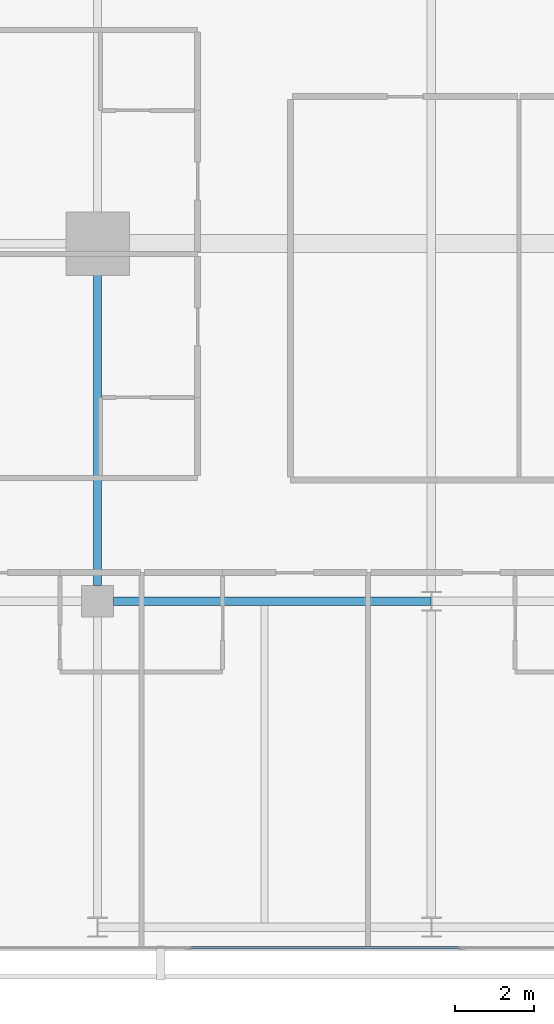
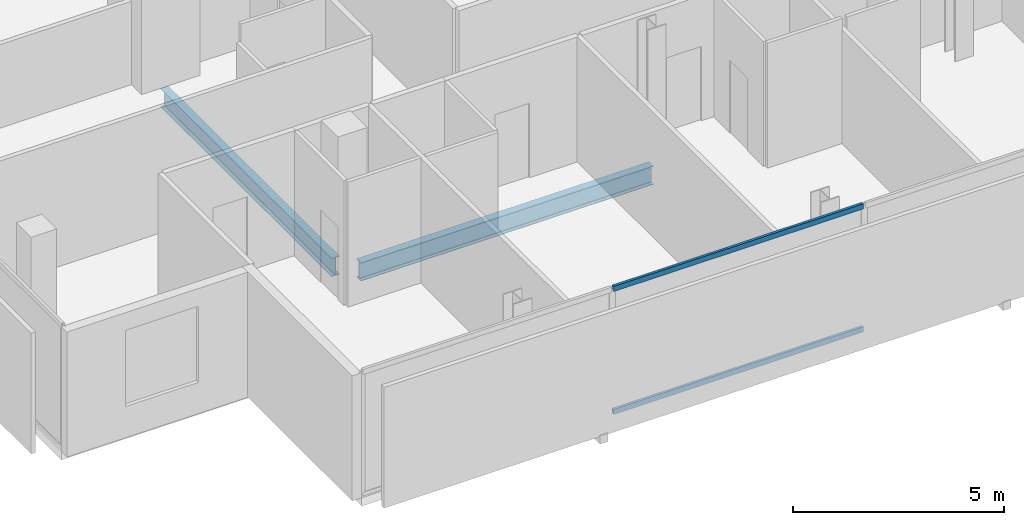
# One storey, part 5 of 25: 2 beams, 2 members, 1 element without a shape of its own.
"""IFC4 building model written with IfcOpenShell, lengths in metres."""

from ifc_helpers import new_model, si_unit, direction, frame, origin, origin_2d, place, context, subcontext, project, spatial, hollow_rectangle, i_section, extrude, material, layer, layer_set, material_profile, profile_set, type_object, element, aggregate, save


model = new_model("IFC4")

# Units and contexts
model_context = context("Model", 3, precision=1e-05, world=origin(), true_north=direction((0.0, 1.0)))
body_context = subcontext(model_context, "Body", "Model", "MODEL_VIEW")
ifc_project = project(units=[si_unit("LENGTHUNIT", "METRE"), si_unit("AREAUNIT", "SQUARE_METRE"), si_unit("VOLUMEUNIT", "CUBIC_METRE"), si_unit("PLANEANGLEUNIT", "RADIAN"), si_unit("MASSUNIT", "GRAM", prefix="KILO")], contexts=[model_context])

# Site, building, storey
site_placement = place(None, origin())
site = spatial("IfcSite", under=ifc_project, at=site_placement, CompositionType="ELEMENT")
building_placement = place(site_placement, origin())
building = spatial("IfcBuilding", under=site, at=building_placement, Name="Maruvema Waterfront Hotel and Observation Tower", CompositionType="ELEMENT")
storey_placement = place(building_placement, frame((0.0, 0.0, 239.39990234375)))
storey = spatial("IfcBuildingStorey", under=building, at=storey_placement, Name="L58", CompositionType="ELEMENT", Elevation=239.39990234375)

# Curtain wall, members
ifc_material_1 = material(Name="Anodised bronze aluminium and solar-control low-E IGU", Category="aluminium")
ifc_layer = layer(ifc_material_1, 0.159912109375, Name="Zone 3 Champagne Inner Thermal Curtain Wall System CW-04")
ifc_layer_set = layer_set([ifc_layer], Name="Anodised bronze aluminium and solar-control low-E IGU")
curtain_wall_type = type_object("IfcCurtainWallType", Name="Zone 3 Champagne Inner Thermal Curtain Wall System CW-04", PredefinedType="USERDEFINED", material=ifc_layer_set)
curtain_wall_placement = place(storey_placement, origin())
curtain_wall = element("IfcCurtainWall", 1, at=curtain_wall_placement, inside=storey, type_object=curtain_wall_type, Name="L58 Curtain Wall CW-L58-S", ObjectType="UNITISED CURTAIN WALL", PredefinedType="USERDEFINED")
ifc_material_2 = material(Name="Anodised architectural bronze aluminium", Category="aluminium")
ifc_material_profile_1 = material_profile(ifc_material_2, hollow_rectangle(XDim=0.070068359375, YDim=0.14990234375, WallThickness=0.00390625, at=origin_2d()), Name="ALU-T70x150")
ifc_profile_set_1 = profile_set([ifc_material_profile_1], Name="Anodised architectural bronze aluminium")
member_type = type_object("IfcMemberType", Name="Curtain Wall Horizontal Transom ALU-T70x150", PredefinedType="USERDEFINED", material=ifc_profile_set_1)
member_1_placement = place(storey_placement, frame((27.510009765625, 9.280029296875, 0.030029296875), z_axis=(1.0, 0.0, 0.0), x_axis=(0.0, 1.0, 0.0)))
member_1 = element("IfcMember", 2, at=member_1_placement, type_object=member_type, Name="CW-04 transom 2.1", ObjectType="TRANSOM", PredefinedType="USERDEFINED", context=body_context, shape_type="SweptSolid", body=[
    extrude(hollow_rectangle(XDim=0.070068359375, YDim=0.14990234375, WallThickness=0.00390625, at=origin_2d()), origin(), (0.0, 0.0, 1.0), 6.820068359375),
])
member_2_placement = place(storey_placement, frame((27.510009765625, 9.280029296875, 3.580078125), z_axis=(1.0, 0.0, 0.0), x_axis=(0.0, 1.0, 0.0)))
member_2 = element("IfcMember", 3, at=member_2_placement, type_object=member_type, Name="CW-04 transom 2.2", ObjectType="TRANSOM", PredefinedType="USERDEFINED", context=body_context, shape_type="SweptSolid", body=[
    extrude(hollow_rectangle(XDim=0.070068359375, YDim=0.14990234375, WallThickness=0.00390625, at=origin_2d()), origin(), (0.0, 0.0, 1.0), 6.820068359375),
])
aggregate(curtain_wall, [member_1, member_2])

# Beams
ifc_material_3 = material(Name="Steel ASTM A572 Grade 50", Category="steel")
ifc_material_profile_2 = material_profile(ifc_material_3, i_section(OverallWidth=0.208984375, OverallDepth=0.532958984375, WebThickness=0.01025390625, FlangeThickness=0.015625, FilletRadius=0.014892578125, at=origin_2d()), Name="W530x92.0")
ifc_profile_set_2 = profile_set([ifc_material_profile_2], Name="Steel ASTM A572 Grade 50")
beam_type = type_object("IfcBeamType", Name="Primary Floor Girder W530x92.0", PredefinedType="BEAM", material=ifc_profile_set_2)
beam_1_placement = place(storey_placement, frame((25.60009765625, 18.0, -0.50634765625), z_axis=(1.0, 0.0, 0.0), x_axis=(0.0, 1.0, 0.0)))
element("IfcBeam", 4, at=beam_1_placement, inside=storey, type_object=beam_type, Name="L58 Floor Girder EW-05", PredefinedType="BEAM", context=body_context, shape_type="SweptSolid", body=[
    extrude(i_section(OverallWidth=0.208984375, OverallDepth=0.532958984375, WebThickness=0.01025390625, FlangeThickness=0.015625, FilletRadius=0.014892578125, at=origin_2d()), origin(), (0.0, 0.0, 1.0), 7.989013671875),
])
beam_2_placement = place(storey_placement, frame((25.199951171875, 18.39990234375, -0.50634765625), z_axis=(0.0, 1.0, 0.0), x_axis=(-1.0, 0.0, 0.0)))
element("IfcBeam", 5, at=beam_2_placement, inside=storey, type_object=beam_type, Name="L58 Floor Girder NS-05", PredefinedType="BEAM", context=body_context, shape_type="SweptSolid", body=[
    extrude(i_section(OverallWidth=0.208984375, OverallDepth=0.532958984375, WebThickness=0.01025390625, FlangeThickness=0.015625, FilletRadius=0.014892578125, at=origin_2d()), origin(), (0.0, 0.0, 1.0), 8.10009765625),
])

save(model, "model.ifc")
